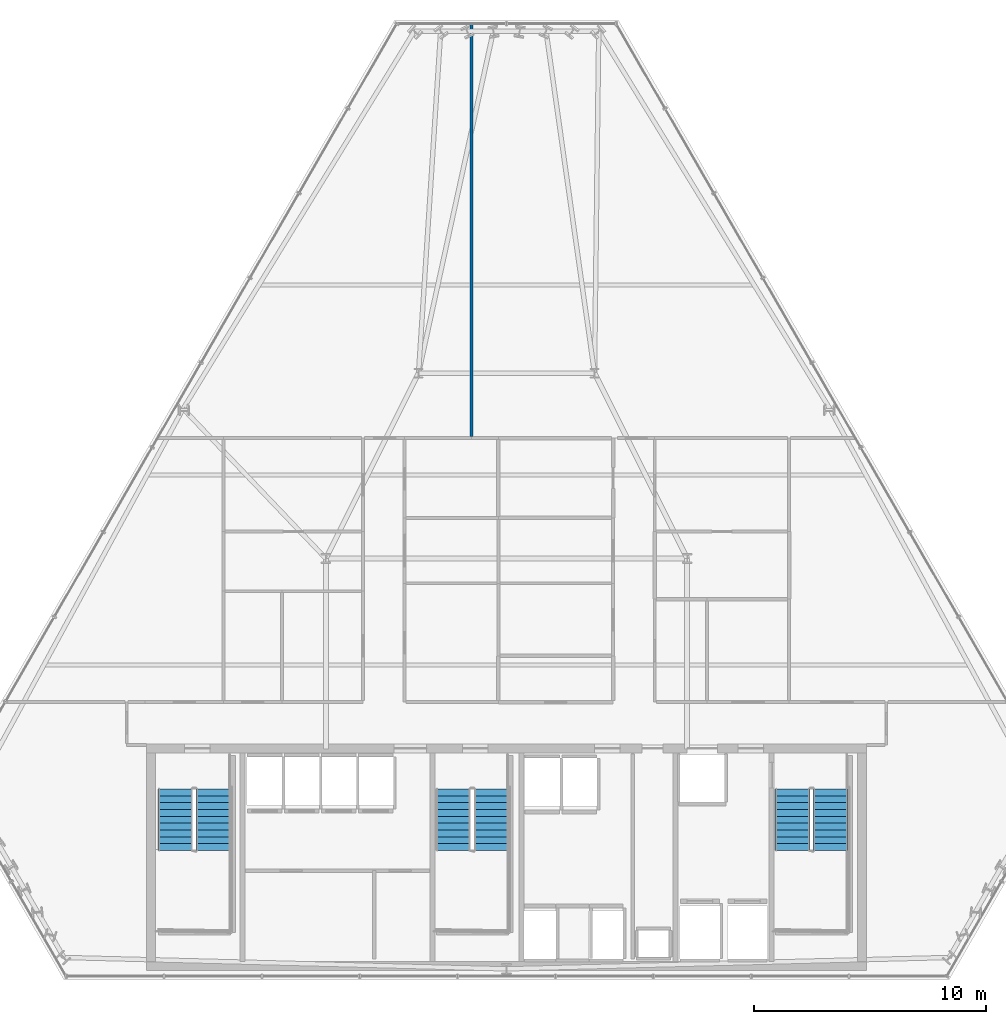
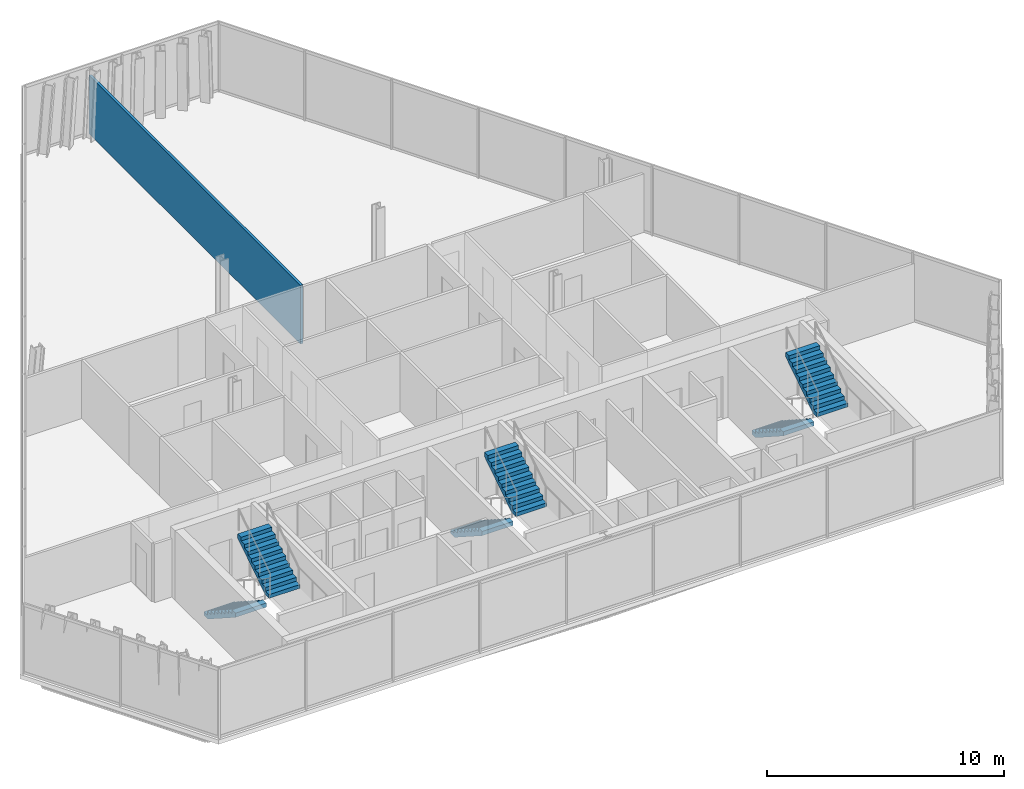
# One storey, part 30 of 33: 6 stair flights, 1 wall, 3 elements without a shape of their own.
"""IFC4 building model written with IfcOpenShell, lengths in metres."""

from ifc_helpers import new_model, si_unit, direction, frame, frame_2d, origin, place, context, subcontext, project, spatial, polyline, rectangle, outline, extrude, material, layer, layer_set, type_object, element, aggregate, save


model = new_model("IFC4")

# Units and contexts
model_context = context("Model", 3, precision=1e-05, world=origin(), true_north=direction((0.0, 1.0)))
body_context = subcontext(model_context, "Body", "Model", "MODEL_VIEW")
ifc_project = project(units=[si_unit("LENGTHUNIT", "METRE"), si_unit("AREAUNIT", "SQUARE_METRE"), si_unit("VOLUMEUNIT", "CUBIC_METRE"), si_unit("PLANEANGLEUNIT", "RADIAN"), si_unit("MASSUNIT", "GRAM", prefix="KILO")], contexts=[model_context])

# Site, building, storey
site_placement = place(None, origin())
site = spatial("IfcSite", under=ifc_project, at=site_placement, CompositionType="ELEMENT")
building_placement = place(site_placement, origin())
building = spatial("IfcBuilding", under=site, at=building_placement, Name="Ndaravel Arena Tower", CompositionType="ELEMENT")
storey_placement = place(building_placement, frame((0.0, 0.0, 187.800048828125)))
storey = spatial("IfcBuildingStorey", under=building, at=storey_placement, Name="L45", CompositionType="ELEMENT", Elevation=187.800048828125)

# Wall
ifc_material_1 = material(Name="Gypsum", Category="gypsum")
ifc_layer = layer(ifc_material_1, 0.125)
ifc_layer_set = layer_set([ifc_layer], Name="Gypsum")
wall_type = type_object("IfcWallType", Name="WALL-PART-125", PredefinedType="PARTITIONING", material=ifc_layer_set)
wall_placement = place(storey_placement, frame((40.49365234375, 46.29248046875, 0.0), z_axis=(0.0, 0.0, 1.0), x_axis=(0.0, -1.0, 0.0)))
element("IfcWall", 1, at=wall_placement, inside=storey, type_object=wall_type, Name="L45 Interior Partition 062", PredefinedType="PARTITIONING", context=body_context, shape_type="SweptSolid", body=[
    extrude(rectangle(XDim=17.827392578125, YDim=0.125, at=frame_2d((8.91357421875, 0.0))), origin(), (0.0, 0.0, 1.0), 3.010498046875),
])

# Stair, stair flights
ifc_material_2 = material(Name="Concrete C40/50", Category="concrete")
stair_type = type_object("IfcStairType", Name="STAIR-CORE-HT", PredefinedType="HALF_TURN_STAIR", material=ifc_material_2)
stair_1_placement = place(storey_placement, origin())
stair_1 = element("IfcStair", 2, at=stair_1_placement, inside=storey, type_object=stair_type, Name="L45 ST-1", PredefinedType="HALF_TURN_STAIR")
ifc_material_3 = material(Name="Concrete C40/50", Category="concrete")
stair_flight_type = type_object("IfcStairFlightType", Name="SFLIGHT-CORE-1680", PredefinedType="STRAIGHT", material=ifc_material_3)
stair_flight_1_placement = place(storey_placement, frame((27.699951171875, 13.25, 0.0), z_axis=(0.0, 0.0, 1.0), x_axis=(0.0, -1.0, 0.0)))
stair_flight_1 = element("IfcStairFlight", 3, at=stair_flight_1_placement, type_object=stair_flight_type, Name="ST-1 flight 1", NumberOfRisers=10, NumberOfTreads=9, PredefinedType="STRAIGHT", RiserHeight=0.19, TreadLength=0.295, context=body_context, shape_type="SweptSolid", body=[
    extrude(outline(polyline([(0.0, 0.0), (0.0, 0.18994140625), (0.294921875, 0.18994140625), (0.294921875, 0.3798828125), (0.590087890625, 0.3798828125), (0.590087890625, 0.570068359375), (0.885009765625, 0.570068359375), (0.885009765625, 0.760009765625), (1.179931640625, 0.760009765625), (1.179931640625, 0.949951171875), (1.47509765625, 0.949951171875), (1.47509765625, 1.139892578125), (1.77001953125, 1.139892578125), (1.77001953125, 1.330078125), (2.06494140625, 1.330078125), (2.06494140625, 1.52001953125), (2.360107421875, 1.52001953125), (2.360107421875, 1.7099609375), (2.655029296875, 1.7099609375), (2.655029296875, 1.89990234375), (2.655029296875, 1.49609375), (0.332275390625, 0.0), (0.0, 0.0)])), frame((0.0, 0.75, 0.0), z_axis=(0.0, -1.0, 0.0), x_axis=(1.0, 0.0, 0.0)), (0.0, 0.0, 1.0), 1.5),
])
stair_flight_2_placement = place(storey_placement, frame((29.340087890625, 10.594970703125, 1.89990234375), z_axis=(0.0, 0.0, 1.0), x_axis=(0.0, 1.0, 0.0)))
stair_flight_2 = element("IfcStairFlight", 4, at=stair_flight_2_placement, type_object=stair_flight_type, Name="ST-1 flight 2", NumberOfRisers=10, NumberOfTreads=9, PredefinedType="STRAIGHT", RiserHeight=0.19, TreadLength=0.295, context=body_context, shape_type="SweptSolid", body=[
    extrude(outline(polyline([(0.0, 0.0), (0.0, 0.18994140625), (0.294921875, 0.18994140625), (0.294921875, 0.3798828125), (0.590087890625, 0.3798828125), (0.590087890625, 0.570068359375), (0.885009765625, 0.570068359375), (0.885009765625, 0.760009765625), (1.179931640625, 0.760009765625), (1.179931640625, 0.949951171875), (1.47509765625, 0.949951171875), (1.47509765625, 1.139892578125), (1.77001953125, 1.139892578125), (1.77001953125, 1.330078125), (2.06494140625, 1.330078125), (2.06494140625, 1.52001953125), (2.360107421875, 1.52001953125), (2.360107421875, 1.7099609375), (2.655029296875, 1.7099609375), (2.655029296875, 1.89990234375), (2.655029296875, 1.49609375), (0.332275390625, 0.0), (0.0, 0.0)])), frame((0.0, 0.75, 0.0), z_axis=(0.0, -1.0, 0.0), x_axis=(1.0, 0.0, 0.0)), (0.0, 0.0, 1.0), 1.5),
])
aggregate(stair_1, [stair_flight_1, stair_flight_2])

stair_2_placement = place(storey_placement, origin())
stair_2 = element("IfcStair", 5, at=stair_2_placement, inside=storey, type_object=stair_type, Name="L45 ST-2", PredefinedType="HALF_TURN_STAIR")
stair_flight_3_placement = place(storey_placement, frame((39.699951171875, 13.25, 0.0), z_axis=(0.0, 0.0, 1.0), x_axis=(0.0, -1.0, 0.0)))
stair_flight_3 = element("IfcStairFlight", 6, at=stair_flight_3_placement, type_object=stair_flight_type, Name="ST-2 flight 1", NumberOfRisers=10, NumberOfTreads=9, PredefinedType="STRAIGHT", RiserHeight=0.19, TreadLength=0.295, context=body_context, shape_type="SweptSolid", body=[
    extrude(outline(polyline([(0.0, 0.0), (0.0, 0.18994140625), (0.294921875, 0.18994140625), (0.294921875, 0.3798828125), (0.590087890625, 0.3798828125), (0.590087890625, 0.570068359375), (0.885009765625, 0.570068359375), (0.885009765625, 0.760009765625), (1.179931640625, 0.760009765625), (1.179931640625, 0.949951171875), (1.47509765625, 0.949951171875), (1.47509765625, 1.139892578125), (1.77001953125, 1.139892578125), (1.77001953125, 1.330078125), (2.06494140625, 1.330078125), (2.06494140625, 1.52001953125), (2.360107421875, 1.52001953125), (2.360107421875, 1.7099609375), (2.655029296875, 1.7099609375), (2.655029296875, 1.89990234375), (2.655029296875, 1.49609375), (0.332275390625, 0.0), (0.0, 0.0)])), frame((0.0, 0.75, 0.0), z_axis=(0.0, -1.0, 0.0), x_axis=(1.0, 0.0, 0.0)), (0.0, 0.0, 1.0), 1.5),
])
stair_flight_4_placement = place(storey_placement, frame((41.340087890625, 10.594970703125, 1.89990234375), z_axis=(0.0, 0.0, 1.0), x_axis=(0.0, 1.0, 0.0)))
stair_flight_4 = element("IfcStairFlight", 7, at=stair_flight_4_placement, type_object=stair_flight_type, Name="ST-2 flight 2", NumberOfRisers=10, NumberOfTreads=9, PredefinedType="STRAIGHT", RiserHeight=0.19, TreadLength=0.295, context=body_context, shape_type="SweptSolid", body=[
    extrude(outline(polyline([(0.0, 0.0), (0.0, 0.18994140625), (0.294921875, 0.18994140625), (0.294921875, 0.3798828125), (0.590087890625, 0.3798828125), (0.590087890625, 0.570068359375), (0.885009765625, 0.570068359375), (0.885009765625, 0.760009765625), (1.179931640625, 0.760009765625), (1.179931640625, 0.949951171875), (1.47509765625, 0.949951171875), (1.47509765625, 1.139892578125), (1.77001953125, 1.139892578125), (1.77001953125, 1.330078125), (2.06494140625, 1.330078125), (2.06494140625, 1.52001953125), (2.360107421875, 1.52001953125), (2.360107421875, 1.7099609375), (2.655029296875, 1.7099609375), (2.655029296875, 1.89990234375), (2.655029296875, 1.49609375), (0.332275390625, 0.0), (0.0, 0.0)])), frame((0.0, 0.75, 0.0), z_axis=(0.0, -1.0, 0.0), x_axis=(1.0, 0.0, 0.0)), (0.0, 0.0, 1.0), 1.5),
])
aggregate(stair_2, [stair_flight_3, stair_flight_4])

stair_3_placement = place(storey_placement, origin())
stair_3 = element("IfcStair", 8, at=stair_3_placement, inside=storey, type_object=stair_type, Name="L45 ST-3", PredefinedType="HALF_TURN_STAIR")
stair_flight_5_placement = place(storey_placement, frame((54.35009765625, 13.25, 0.0), z_axis=(0.0, 0.0, 1.0), x_axis=(0.0, -1.0, 0.0)))
stair_flight_5 = element("IfcStairFlight", 9, at=stair_flight_5_placement, type_object=stair_flight_type, Name="ST-3 flight 1", NumberOfRisers=10, NumberOfTreads=9, PredefinedType="STRAIGHT", RiserHeight=0.19, TreadLength=0.295, context=body_context, shape_type="SweptSolid", body=[
    extrude(outline(polyline([(0.0, 0.0), (0.0, 0.18994140625), (0.294921875, 0.18994140625), (0.294921875, 0.3798828125), (0.590087890625, 0.3798828125), (0.590087890625, 0.570068359375), (0.885009765625, 0.570068359375), (0.885009765625, 0.760009765625), (1.179931640625, 0.760009765625), (1.179931640625, 0.949951171875), (1.47509765625, 0.949951171875), (1.47509765625, 1.139892578125), (1.77001953125, 1.139892578125), (1.77001953125, 1.330078125), (2.06494140625, 1.330078125), (2.06494140625, 1.52001953125), (2.360107421875, 1.52001953125), (2.360107421875, 1.7099609375), (2.655029296875, 1.7099609375), (2.655029296875, 1.89990234375), (2.655029296875, 1.49609375), (0.332275390625, 0.0), (0.0, 0.0)])), frame((0.0, 0.75, 0.0), z_axis=(0.0, -1.0, 0.0), x_axis=(1.0, 0.0, 0.0)), (0.0, 0.0, 1.0), 1.5),
])
stair_flight_6_placement = place(storey_placement, frame((55.989990234375, 10.594970703125, 1.89990234375), z_axis=(0.0, 0.0, 1.0), x_axis=(0.0, 1.0, 0.0)))
stair_flight_6 = element("IfcStairFlight", 10, at=stair_flight_6_placement, type_object=stair_flight_type, Name="ST-3 flight 2", NumberOfRisers=10, NumberOfTreads=9, PredefinedType="STRAIGHT", RiserHeight=0.19, TreadLength=0.295, context=body_context, shape_type="SweptSolid", body=[
    extrude(outline(polyline([(0.0, 0.0), (0.0, 0.18994140625), (0.294921875, 0.18994140625), (0.294921875, 0.3798828125), (0.590087890625, 0.3798828125), (0.590087890625, 0.570068359375), (0.885009765625, 0.570068359375), (0.885009765625, 0.760009765625), (1.179931640625, 0.760009765625), (1.179931640625, 0.949951171875), (1.47509765625, 0.949951171875), (1.47509765625, 1.139892578125), (1.77001953125, 1.139892578125), (1.77001953125, 1.330078125), (2.06494140625, 1.330078125), (2.06494140625, 1.52001953125), (2.360107421875, 1.52001953125), (2.360107421875, 1.7099609375), (2.655029296875, 1.7099609375), (2.655029296875, 1.89990234375), (2.655029296875, 1.49609375), (0.332275390625, 0.0), (0.0, 0.0)])), frame((0.0, 0.75, 0.0), z_axis=(0.0, -1.0, 0.0), x_axis=(1.0, 0.0, 0.0)), (0.0, 0.0, 1.0), 1.5),
])
aggregate(stair_3, [stair_flight_5, stair_flight_6])

save(model, "model.ifc")
